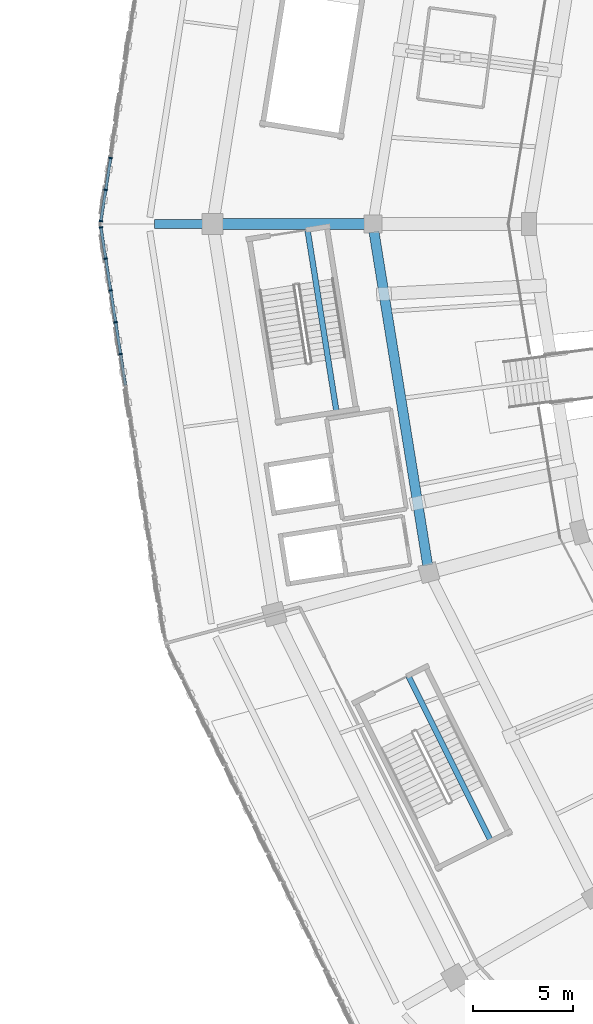
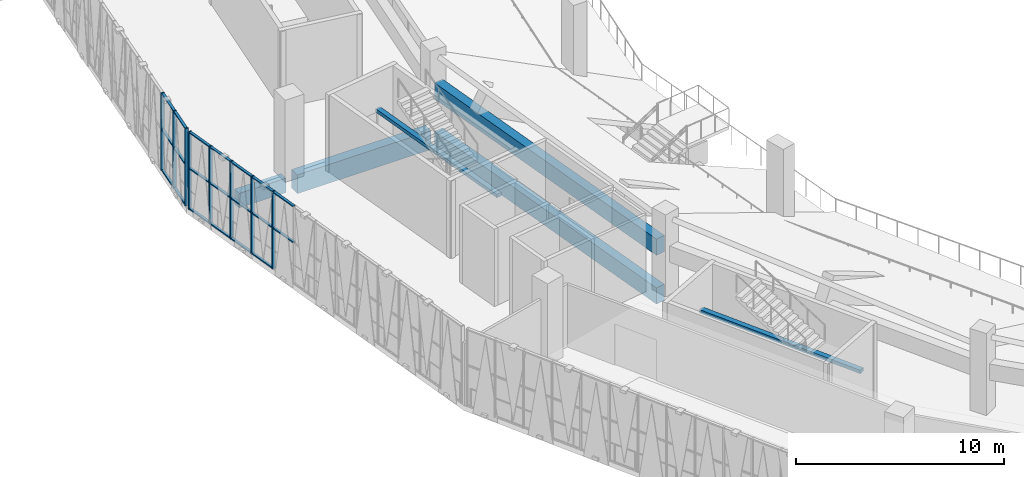
# One storey, part 19 of 152: 28 members, 6 beams, 2 elements without a shape of their own.
"""IFC4 building model written with IfcOpenShell, lengths in metres."""

from ifc_helpers import new_model, si_unit, direction, frame, origin, origin_2d, place, context, subcontext, project, spatial, rectangle, extrude, material, material_profile, profile_set, type_object, element, aggregate, save


model = new_model("IFC4")

# Units and contexts
model_context = context("Model", 3, precision=1e-05, world=origin(), true_north=direction((0.0, 1.0)))
body_context = subcontext(model_context, "Body", "Model", "MODEL_VIEW")
ifc_project = project(units=[si_unit("LENGTHUNIT", "METRE"), si_unit("AREAUNIT", "SQUARE_METRE"), si_unit("VOLUMEUNIT", "CUBIC_METRE"), si_unit("PLANEANGLEUNIT", "RADIAN"), si_unit("MASSUNIT", "GRAM", prefix="KILO")], contexts=[model_context])

# Site, building, storey
site_placement = place(None, origin())
site = spatial("IfcSite", under=ifc_project, at=site_placement, CompositionType="ELEMENT")
building_placement = place(site_placement, origin())
building = spatial("IfcBuilding", under=site, at=building_placement, Name="Zevraka Park Crest Stadium", CompositionType="ELEMENT")
storey_placement = place(building_placement, frame((0.0, 0.0, 15.0)))
storey = spatial("IfcBuildingStorey", under=building, at=storey_placement, Name="L03", CompositionType="ELEMENT", Elevation=15.0)

# Beams
ifc_material_1 = material(Name="Concrete C40/50", Category="concrete")
ifc_material_profile_1 = material_profile(ifc_material_1, rectangle(XDim=0.550048828125, YDim=1.10009765625, at=origin_2d()), Name="RC 1100x550")
ifc_profile_set_1 = profile_set([ifc_material_profile_1], Name="Concrete C40/50")
beam_type_1 = type_object("IfcBeamType", Name="BG02", PredefinedType="BEAM", material=ifc_profile_set_1)
beam_1_placement = place(storey_placement, frame((29.39990234375, 92.0, -0.56005859375), z_axis=(-1.0, 0.0, 0.0), x_axis=(0.0, -1.0, 0.0)))
element("IfcBeam", 1, at=beam_1_placement, inside=storey, type_object=beam_type_1, Name="Radial Girder BG02 L03-CD-12", PredefinedType="BEAM", context=body_context, shape_type="SweptSolid", body=[
    extrude(rectangle(XDim=0.550048828125, YDim=1.10009765625, at=origin_2d()), origin(), (0.0, 0.0, 1.0), 7.39990234375),
])
ifc_material_2 = material(Name="Concrete C40/50", Category="concrete")
ifc_material_profile_2 = material_profile(ifc_material_2, rectangle(XDim=0.449951171875, YDim=0.85009765625, at=origin_2d()), Name="RC 850x450")
ifc_profile_set_2 = profile_set([ifc_material_profile_2], Name="Concrete C40/50")
beam_type_2 = type_object("IfcBeamType", Name="BG03", PredefinedType="BEAM", material=ifc_profile_set_2)
beam_2_placement = place(storey_placement, frame((21.39990234375, 92.0, -0.43505859375), z_axis=(-1.0, 0.0, 0.0), x_axis=(0.0, -1.0, 0.0)))
element("IfcBeam", 2, at=beam_2_placement, inside=storey, type_object=beam_type_2, Name="Radial Girder BG03 L03-DE-12", PredefinedType="BEAM", context=body_context, shape_type="SweptSolid", body=[
    extrude(rectangle(XDim=0.449951171875, YDim=0.85009765625, at=origin_2d()), origin(), (0.0, 0.0, 1.0), 2.599853515625),
])

# Curtain wall, members
ifc_material_3 = material(Name="Anodised architectural aluminium and laminated safety glass", Category="aluminium")
curtain_wall_type = type_object("IfcCurtainWallType", Name="CW11", PredefinedType="NOTDEFINED", material=ifc_material_3)
curtain_wall_1_placement = place(storey_placement, origin())
curtain_wall_1 = element("IfcCurtainWall", 3, at=curtain_wall_1_placement, inside=storey, type_object=curtain_wall_type, Name="Unitised Ring Curtain Wall CW11 L03-11", PredefinedType="NOTDEFINED")
ifc_material_4 = material(Name="Anodised architectural aluminium", Category="aluminium")
ifc_material_profile_3 = material_profile(ifc_material_4, rectangle(XDim=0.179931640625, YDim=0.06494140625, at=origin_2d()), Name="ALU MULLION 180x65")
ifc_profile_set_3 = profile_set([ifc_material_profile_3], Name="Anodised architectural aluminium")
member_type_1 = type_object("IfcMemberType", Name="CM02", PredefinedType="MULLION", material=ifc_profile_set_3)
member_1_placement = place(storey_placement, frame((16.597412109375, 95.30859375, 0.0), z_axis=(0.0, 0.0, 1.0), x_axis=(0.988050931267, -0.154127730222, 0.0)))
member_1 = element("IfcMember", 4, at=member_1_placement, type_object=member_type_1, Name="CW11 mullion 12", PredefinedType="MULLION", context=body_context, shape_type="SweptSolid", body=[
    extrude(rectangle(XDim=0.179931640625, YDim=0.06494140625, at=origin_2d()), origin(), (0.0, 0.0, 1.0), 4.5400390625),
])
member_2_placement = place(storey_placement, frame((16.34912109375, 93.71728515625, 0.0), z_axis=(0.0, 0.0, 1.0), x_axis=(0.988050931267, -0.154127730222, 0.0)))
member_2 = element("IfcMember", 5, at=member_2_placement, type_object=member_type_1, Name="CW11 mullion 13", PredefinedType="MULLION", context=body_context, shape_type="SweptSolid", body=[
    extrude(rectangle(XDim=0.179931640625, YDim=0.06494140625, at=origin_2d()), origin(), (0.0, 0.0, 1.0), 4.5400390625),
])
member_3_placement = place(storey_placement, frame((16.10595703125, 92.158203125, 0.0), z_axis=(0.0, 0.0, 1.0), x_axis=(0.988050931267, -0.154127730222, 0.0)))
member_3 = element("IfcMember", 6, at=member_3_placement, type_object=member_type_1, Name="CW11 mullion 14", PredefinedType="MULLION", context=body_context, shape_type="SweptSolid", body=[
    extrude(rectangle(XDim=0.179931640625, YDim=0.06494140625, at=origin_2d()), origin(), (0.0, 0.0, 1.0), 4.5400390625),
])

curtain_wall_2_placement = place(storey_placement, origin())
curtain_wall_2 = element("IfcCurtainWall", 7, at=curtain_wall_2_placement, inside=storey, type_object=curtain_wall_type, Name="Unitised Ring Curtain Wall CW11 L03-12", PredefinedType="NOTDEFINED")
member_4_placement = place(storey_placement, frame((16.10595703125, 91.841796875, 0.0), z_axis=(0.0, 0.0, 1.0), x_axis=(0.988050931267, 0.154127730222, 0.0)))
member_4 = element("IfcMember", 8, at=member_4_placement, type_object=member_type_1, Name="CW11 mullion 1", PredefinedType="MULLION", context=body_context, shape_type="SweptSolid", body=[
    extrude(rectangle(XDim=0.179931640625, YDim=0.06494140625, at=origin_2d()), origin(), (0.0, 0.0, 1.0), 4.5400390625),
])
member_5_placement = place(storey_placement, frame((16.34912109375, 90.28271484375, 0.0), z_axis=(0.0, 0.0, 1.0), x_axis=(0.988050931267, 0.154127730222, 0.0)))
member_5 = element("IfcMember", 9, at=member_5_placement, type_object=member_type_1, Name="CW11 mullion 2", PredefinedType="MULLION", context=body_context, shape_type="SweptSolid", body=[
    extrude(rectangle(XDim=0.179931640625, YDim=0.06494140625, at=origin_2d()), origin(), (0.0, 0.0, 1.0), 4.5400390625),
])
member_6_placement = place(storey_placement, frame((16.597412109375, 88.69140625, 0.0), z_axis=(0.0, 0.0, 1.0), x_axis=(0.988050931267, 0.154127730222, 0.0)))
member_6 = element("IfcMember", 10, at=member_6_placement, type_object=member_type_1, Name="CW11 mullion 3", PredefinedType="MULLION", context=body_context, shape_type="SweptSolid", body=[
    extrude(rectangle(XDim=0.179931640625, YDim=0.06494140625, at=origin_2d()), origin(), (0.0, 0.0, 1.0), 4.5400390625),
])
member_7_placement = place(storey_placement, frame((16.845703125, 87.10009765625, 0.0), z_axis=(0.0, 0.0, 1.0), x_axis=(0.988050931267, 0.154127730222, 0.0)))
member_7 = element("IfcMember", 11, at=member_7_placement, type_object=member_type_1, Name="CW11 mullion 4", PredefinedType="MULLION", context=body_context, shape_type="SweptSolid", body=[
    extrude(rectangle(XDim=0.179931640625, YDim=0.06494140625, at=origin_2d()), origin(), (0.0, 0.0, 1.0), 4.5400390625),
])
member_8_placement = place(storey_placement, frame((17.093994140625, 85.5087890625, 0.0), z_axis=(0.0, 0.0, 1.0), x_axis=(0.988050931267, 0.154127730222, 0.0)))
member_8 = element("IfcMember", 12, at=member_8_placement, type_object=member_type_1, Name="CW11 mullion 5", PredefinedType="MULLION", context=body_context, shape_type="SweptSolid", body=[
    extrude(rectangle(XDim=0.179931640625, YDim=0.06494140625, at=origin_2d()), origin(), (0.0, 0.0, 1.0), 4.5400390625),
])

# Member
ifc_material_5 = material(Name="Anodised architectural aluminium", Category="aluminium")
ifc_material_profile_4 = material_profile(ifc_material_5, rectangle(XDim=0.139892578125, YDim=0.06494140625, at=origin_2d()), Name="ALU TRANSOM 140x65")
ifc_profile_set_4 = profile_set([ifc_material_profile_4], Name="Anodised architectural aluminium")
member_type_2 = type_object("IfcMemberType", Name="CT02", PredefinedType="USERDEFINED", material=ifc_profile_set_4)
member_9_placement = place(storey_placement, frame((16.592529296875, 95.276611328125, 0.032470703125), z_axis=(-0.154169675764, -0.988044387199, 0.0), x_axis=(0.988044387199, -0.154169675764, 0.0)))
member_9 = element("IfcMember", 13, at=member_9_placement, type_object=member_type_2, Name="CW11 transom 12.1", ObjectType="TRANSOM", PredefinedType="USERDEFINED", context=body_context, shape_type="SweptSolid", body=[
    extrude(rectangle(XDim=0.139892578125, YDim=0.06494140625, at=origin_2d()), origin(), (0.0, 0.0, 1.0), 1.545654296875),
])

member_10_placement = place(storey_placement, frame((16.592529296875, 95.276611328125, 2.39990234375), z_axis=(-0.154169675764, -0.988044387199, 0.0), x_axis=(0.988044387199, -0.154169675764, 0.0)))
member_10 = element("IfcMember", 14, at=member_10_placement, type_object=member_type_2, Name="CW11 transom 12.2", ObjectType="TRANSOM", PredefinedType="USERDEFINED", context=body_context, shape_type="SweptSolid", body=[
    extrude(rectangle(XDim=0.139892578125, YDim=0.06494140625, at=origin_2d()), origin(), (0.0, 0.0, 1.0), 1.545654296875),
])

member_11_placement = place(storey_placement, frame((16.592529296875, 95.276611328125, 4.507568359375), z_axis=(-0.154169675764, -0.988044387199, 0.0), x_axis=(0.988044387199, -0.154169675764, 0.0)))
member_11 = element("IfcMember", 15, at=member_11_placement, type_object=member_type_2, Name="CW11 transom 12.3", ObjectType="TRANSOM", PredefinedType="USERDEFINED", context=body_context, shape_type="SweptSolid", body=[
    extrude(rectangle(XDim=0.139892578125, YDim=0.06494140625, at=origin_2d()), origin(), (0.0, 0.0, 1.0), 1.545654296875),
])

member_12_placement = place(storey_placement, frame((16.34423828125, 93.685302734375, 0.032470703125), z_axis=(-0.154081566845, -0.988058131265, 0.0), x_axis=(0.988058131265, -0.154081566845, 0.0)))
member_12 = element("IfcMember", 16, at=member_12_placement, type_object=member_type_2, Name="CW11 transom 13.1", ObjectType="TRANSOM", PredefinedType="USERDEFINED", context=body_context, shape_type="SweptSolid", body=[
    extrude(rectangle(XDim=0.139892578125, YDim=0.06494140625, at=origin_2d()), origin(), (0.0, 0.0, 1.0), 1.51318359375),
])

member_13_placement = place(storey_placement, frame((16.34423828125, 93.685302734375, 2.39990234375), z_axis=(-0.154081566845, -0.988058131265, 0.0), x_axis=(0.988058131265, -0.154081566845, 0.0)))
member_13 = element("IfcMember", 17, at=member_13_placement, type_object=member_type_2, Name="CW11 transom 13.2", ObjectType="TRANSOM", PredefinedType="USERDEFINED", context=body_context, shape_type="SweptSolid", body=[
    extrude(rectangle(XDim=0.139892578125, YDim=0.06494140625, at=origin_2d()), origin(), (0.0, 0.0, 1.0), 1.51318359375),
])

member_14_placement = place(storey_placement, frame((16.34423828125, 93.685302734375, 4.507568359375), z_axis=(-0.154081566845, -0.988058131265, 0.0), x_axis=(0.988058131265, -0.154081566845, 0.0)))
member_14 = element("IfcMember", 18, at=member_14_placement, type_object=member_type_2, Name="CW11 transom 13.3", ObjectType="TRANSOM", PredefinedType="USERDEFINED", context=body_context, shape_type="SweptSolid", body=[
    extrude(rectangle(XDim=0.139892578125, YDim=0.06494140625, at=origin_2d()), origin(), (0.0, 0.0, 1.0), 1.51318359375),
])

aggregate(curtain_wall_1, [member_1, member_2, member_3, member_9, member_10, member_11, member_12, member_13, member_14])

member_15_placement = place(storey_placement, frame((16.111083984375, 91.809814453125, 0.032470703125), z_axis=(0.154081566845, -0.988058131265, 0.0), x_axis=(0.988058131265, 0.154081566845, 0.0)))
member_15 = element("IfcMember", 19, at=member_15_placement, type_object=member_type_2, Name="CW11 transom 1.1", ObjectType="TRANSOM", PredefinedType="USERDEFINED", context=body_context, shape_type="SweptSolid", body=[
    extrude(rectangle(XDim=0.139892578125, YDim=0.06494140625, at=origin_2d()), origin(), (0.0, 0.0, 1.0), 1.51318359375),
])

member_16_placement = place(storey_placement, frame((16.111083984375, 91.809814453125, 2.39990234375), z_axis=(0.154081566845, -0.988058131265, 0.0), x_axis=(0.988058131265, 0.154081566845, 0.0)))
member_16 = element("IfcMember", 20, at=member_16_placement, type_object=member_type_2, Name="CW11 transom 1.2", ObjectType="TRANSOM", PredefinedType="USERDEFINED", context=body_context, shape_type="SweptSolid", body=[
    extrude(rectangle(XDim=0.139892578125, YDim=0.06494140625, at=origin_2d()), origin(), (0.0, 0.0, 1.0), 1.51318359375),
])

member_17_placement = place(storey_placement, frame((16.111083984375, 91.809814453125, 4.507568359375), z_axis=(0.154081566845, -0.988058131265, 0.0), x_axis=(0.988058131265, 0.154081566845, 0.0)))
member_17 = element("IfcMember", 21, at=member_17_placement, type_object=member_type_2, Name="CW11 transom 1.3", ObjectType="TRANSOM", PredefinedType="USERDEFINED", context=body_context, shape_type="SweptSolid", body=[
    extrude(rectangle(XDim=0.139892578125, YDim=0.06494140625, at=origin_2d()), origin(), (0.0, 0.0, 1.0), 1.51318359375),
])

member_18_placement = place(storey_placement, frame((16.354248046875, 90.25048828125, 0.032470703125), z_axis=(0.154169675764, -0.988044387199, 0.0), x_axis=(0.988044387199, 0.154169675764, 0.0)))
member_18 = element("IfcMember", 22, at=member_18_placement, type_object=member_type_2, Name="CW11 transom 2.1", ObjectType="TRANSOM", PredefinedType="USERDEFINED", context=body_context, shape_type="SweptSolid", body=[
    extrude(rectangle(XDim=0.139892578125, YDim=0.06494140625, at=origin_2d()), origin(), (0.0, 0.0, 1.0), 1.545654296875),
])

member_19_placement = place(storey_placement, frame((16.354248046875, 90.25048828125, 2.39990234375), z_axis=(0.154169675764, -0.988044387199, 0.0), x_axis=(0.988044387199, 0.154169675764, 0.0)))
member_19 = element("IfcMember", 23, at=member_19_placement, type_object=member_type_2, Name="CW11 transom 2.2", ObjectType="TRANSOM", PredefinedType="USERDEFINED", context=body_context, shape_type="SweptSolid", body=[
    extrude(rectangle(XDim=0.139892578125, YDim=0.06494140625, at=origin_2d()), origin(), (0.0, 0.0, 1.0), 1.545654296875),
])

member_20_placement = place(storey_placement, frame((16.354248046875, 90.25048828125, 4.507568359375), z_axis=(0.154169675764, -0.988044387199, 0.0), x_axis=(0.988044387199, 0.154169675764, 0.0)))
member_20 = element("IfcMember", 24, at=member_20_placement, type_object=member_type_2, Name="CW11 transom 2.3", ObjectType="TRANSOM", PredefinedType="USERDEFINED", context=body_context, shape_type="SweptSolid", body=[
    extrude(rectangle(XDim=0.139892578125, YDim=0.06494140625, at=origin_2d()), origin(), (0.0, 0.0, 1.0), 1.545654296875),
])

member_21_placement = place(storey_placement, frame((16.6025390625, 88.6591796875, 0.032470703125), z_axis=(0.154015463856, -0.988068437353, 0.0), x_axis=(0.988068437353, 0.154015463856, 0.0)))
member_21 = element("IfcMember", 25, at=member_21_placement, type_object=member_type_2, Name="CW11 transom 3.1", ObjectType="TRANSOM", PredefinedType="USERDEFINED", context=body_context, shape_type="SweptSolid", body=[
    extrude(rectangle(XDim=0.139892578125, YDim=0.06494140625, at=origin_2d()), origin(), (0.0, 0.0, 1.0), 1.545654296875),
])

member_22_placement = place(storey_placement, frame((16.6025390625, 88.6591796875, 2.39990234375), z_axis=(0.154015463856, -0.988068437353, 0.0), x_axis=(0.988068437353, 0.154015463856, 0.0)))
member_22 = element("IfcMember", 26, at=member_22_placement, type_object=member_type_2, Name="CW11 transom 3.2", ObjectType="TRANSOM", PredefinedType="USERDEFINED", context=body_context, shape_type="SweptSolid", body=[
    extrude(rectangle(XDim=0.139892578125, YDim=0.06494140625, at=origin_2d()), origin(), (0.0, 0.0, 1.0), 1.545654296875),
])

member_23_placement = place(storey_placement, frame((16.6025390625, 88.6591796875, 4.507568359375), z_axis=(0.154015463856, -0.988068437353, 0.0), x_axis=(0.988068437353, 0.154015463856, 0.0)))
member_23 = element("IfcMember", 27, at=member_23_placement, type_object=member_type_2, Name="CW11 transom 3.3", ObjectType="TRANSOM", PredefinedType="USERDEFINED", context=body_context, shape_type="SweptSolid", body=[
    extrude(rectangle(XDim=0.139892578125, YDim=0.06494140625, at=origin_2d()), origin(), (0.0, 0.0, 1.0), 1.545654296875),
])

member_24_placement = place(storey_placement, frame((16.8505859375, 87.06787109375, 0.032470703125), z_axis=(0.154169675764, -0.988044387199, 0.0), x_axis=(0.988044387199, 0.154169675764, 0.0)))
member_24 = element("IfcMember", 28, at=member_24_placement, type_object=member_type_2, Name="CW11 transom 4.1", ObjectType="TRANSOM", PredefinedType="USERDEFINED", context=body_context, shape_type="SweptSolid", body=[
    extrude(rectangle(XDim=0.139892578125, YDim=0.06494140625, at=origin_2d()), origin(), (0.0, 0.0, 1.0), 1.545654296875),
])

member_25_placement = place(storey_placement, frame((16.8505859375, 87.06787109375, 2.39990234375), z_axis=(0.154169675764, -0.988044387199, 0.0), x_axis=(0.988044387199, 0.154169675764, 0.0)))
member_25 = element("IfcMember", 29, at=member_25_placement, type_object=member_type_2, Name="CW11 transom 4.2", ObjectType="TRANSOM", PredefinedType="USERDEFINED", context=body_context, shape_type="SweptSolid", body=[
    extrude(rectangle(XDim=0.139892578125, YDim=0.06494140625, at=origin_2d()), origin(), (0.0, 0.0, 1.0), 1.545654296875),
])

member_26_placement = place(storey_placement, frame((16.8505859375, 87.06787109375, 4.507568359375), z_axis=(0.154169675764, -0.988044387199, 0.0), x_axis=(0.988044387199, 0.154169675764, 0.0)))
member_26 = element("IfcMember", 30, at=member_26_placement, type_object=member_type_2, Name="CW11 transom 4.3", ObjectType="TRANSOM", PredefinedType="USERDEFINED", context=body_context, shape_type="SweptSolid", body=[
    extrude(rectangle(XDim=0.139892578125, YDim=0.06494140625, at=origin_2d()), origin(), (0.0, 0.0, 1.0), 1.545654296875),
])

member_27_placement = place(storey_placement, frame((17.098876953125, 85.4765625, 2.39990234375), z_axis=(0.154169675764, -0.988044387199, 0.0), x_axis=(0.988044387199, 0.154169675764, 0.0)))
member_27 = element("IfcMember", 31, at=member_27_placement, type_object=member_type_2, Name="CW11 transom 5.2", ObjectType="TRANSOM", PredefinedType="USERDEFINED", context=body_context, shape_type="SweptSolid", body=[
    extrude(rectangle(XDim=0.139892578125, YDim=0.06494140625, at=origin_2d()), origin(), (0.0, 0.0, 1.0), 1.545654296875),
])

member_28_placement = place(storey_placement, frame((17.098876953125, 85.4765625, 4.507568359375), z_axis=(0.154169675764, -0.988044387199, 0.0), x_axis=(0.988044387199, 0.154169675764, 0.0)))
member_28 = element("IfcMember", 32, at=member_28_placement, type_object=member_type_2, Name="CW11 transom 5.3", ObjectType="TRANSOM", PredefinedType="USERDEFINED", context=body_context, shape_type="SweptSolid", body=[
    extrude(rectangle(XDim=0.139892578125, YDim=0.06494140625, at=origin_2d()), origin(), (0.0, 0.0, 1.0), 1.545654296875),
])

aggregate(curtain_wall_2, [member_4, member_5, member_6, member_7, member_8, member_15, member_16, member_17, member_18, member_19, member_20, member_21, member_22, member_23, member_24, member_25, member_26, member_27, member_28])

# Beams
ifc_material_6 = material(Name="Concrete C40/50", Category="concrete")
ifc_material_profile_5 = material_profile(ifc_material_6, rectangle(XDim=0.5, YDim=0.949951171875, at=origin_2d()), Name="RC 950x500")
ifc_profile_set_5 = profile_set([ifc_material_profile_5], Name="Concrete C40/50")
beam_type_3 = type_object("IfcBeamType", Name="RB02", PredefinedType="BEAM", material=ifc_profile_set_5)
for number, where, z_axis, x_axis, name in (
    (33, (29.760009765625, 91.625, -0.485107421875), (0.158975112778, -0.987282590507, 0.0), (0.987282590507, 0.158975112778, 0.0), "Ring Beam RB02 L03-C-12"),
    (34, (29.760009765625, 91.625, 2.375), (0.158975112778, -0.987282590507, 0.0), (0.987282590507, 0.158975112778, 0.0), "Upper Tier Head Raker Ring Beam RB02 12"),
):
    element("IfcBeam", number, at=place(storey_placement, frame(where, z_axis=z_axis, x_axis=x_axis)), inside=storey, type_object=beam_type_3, Name=name, PredefinedType="BEAM", context=body_context, shape_type="SweptSolid", body=[
        extrude(rectangle(XDim=0.5, YDim=0.949951171875, at=origin_2d()), origin(), (0.0, 0.0, 1.0), 16.883544921875),
    ])
ifc_material_7 = material(Name="Concrete C40/50", Category="concrete")
ifc_material_profile_6 = material_profile(ifc_material_7, rectangle(XDim=0.280029296875, YDim=0.199951171875, at=origin_2d()), Name="RC 200x280")
ifc_profile_set_6 = profile_set([ifc_material_profile_6], Name="Concrete C40/50")
beam_type_4 = type_object("IfcBeamType", Name="SJ13", PredefinedType="JOIST", material=ifc_profile_set_6)
for number, where, z_axis, x_axis, name in (
    (35, (26.440673828125, 91.70263671875, 2.300048828125), (0.157251361722, -0.987558610532, 0.0), (0.987558610532, 0.157251361722, 0.0), "Stair Upper-Flight Longitudinal Stringer SJ13 ST13-L03"),
    (36, (31.481201171875, 69.408447265625, 2.300048828125), (0.447920796254, -0.894073241006, 0.0), (0.894073241006, 0.447920796254, 0.0), "Stair Upper-Flight Longitudinal Stringer SJ13 ST14-L03"),
):
    element("IfcBeam", number, at=place(storey_placement, frame(where, z_axis=z_axis, x_axis=x_axis)), inside=storey, type_object=beam_type_4, Name=name, PredefinedType="JOIST", context=body_context, shape_type="SweptSolid", body=[
        extrude(rectangle(XDim=0.280029296875, YDim=0.199951171875, at=origin_2d()), origin(), (0.0, 0.0, 1.0), 9.25),
    ])

save(model, "model.ifc")
